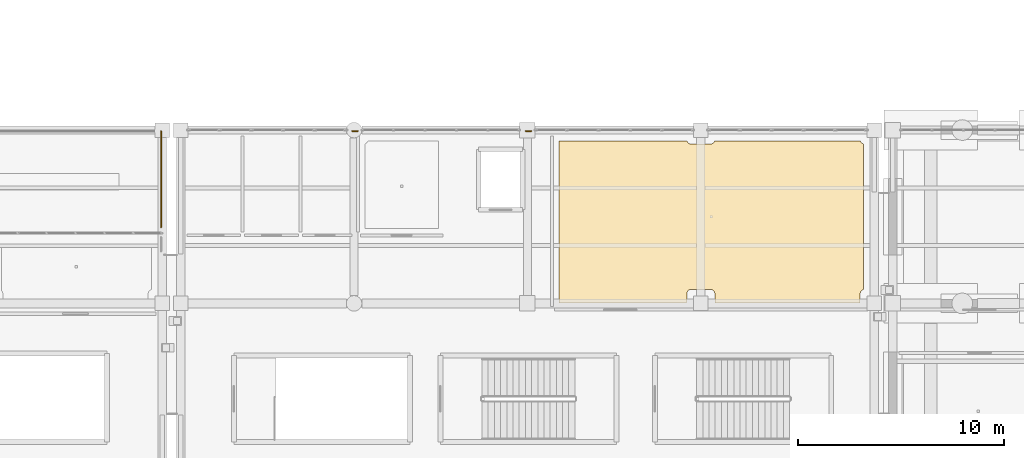
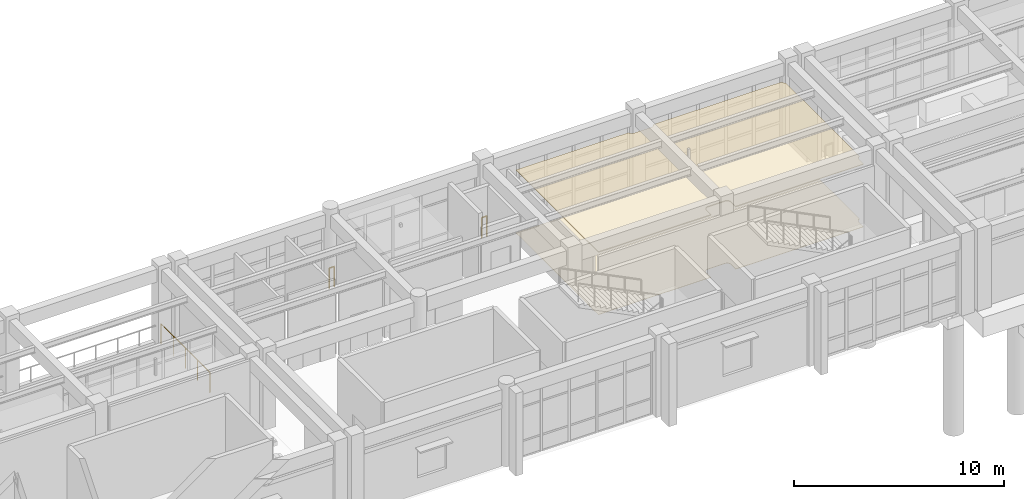
# One storey, part 97 of 111: 3 railings, 2 coverings.
"""IFC4 building model written with IfcOpenShell, lengths in metres."""

from ifc_helpers import new_model, si_unit, direction, frame, origin, origin_2d, place, context, subcontext, project, spatial, polyline, circle, outline, extrude, material, layer, layer_set, type_object, element, save


model = new_model("IFC4")

# Units and contexts
model_context = context("Model", 3, precision=1e-05, world=origin(), true_north=direction((0.0, 1.0)))
body_context = subcontext(model_context, "Body", "Model", "MODEL_VIEW")
ifc_project = project(units=[si_unit("LENGTHUNIT", "METRE"), si_unit("AREAUNIT", "SQUARE_METRE"), si_unit("VOLUMEUNIT", "CUBIC_METRE"), si_unit("PLANEANGLEUNIT", "RADIAN"), si_unit("MASSUNIT", "GRAM", prefix="KILO")], contexts=[model_context])

# Site, building, storey
site_placement = place(None, origin())
site = spatial("IfcSite", under=ifc_project, at=site_placement, CompositionType="ELEMENT")
building_placement = place(site_placement, origin())
building = spatial("IfcBuilding", under=site, at=building_placement, Name="Canglan Escarpment Cableway Terminal", CompositionType="ELEMENT")
storey_placement = place(building_placement, frame((0.0, 0.0, 4.800048828125)))
storey = spatial("IfcBuildingStorey", under=building, at=storey_placement, Name="L01", CompositionType="ELEMENT", Elevation=4.800048828125)

# Coverings
ifc_material_1 = material(Name="Moisture-resistant acoustic gypsum ceiling", Category="gypsum")
ifc_layer_1 = layer(ifc_material_1, 0.030029296875, Name="Moisture-resistant acoustic gypsum ceiling")
ifc_layer_set_1 = layer_set([ifc_layer_1], Name="Moisture-resistant acoustic gypsum ceiling")
covering_type_1 = type_object("IfcCoveringType", Name="COV-CEIL-GYPSUM-30", PredefinedType="CEILING", material=ifc_layer_set_1)
covering_1_placement = place(storey_placement, frame((0.0, 0.0, 3.639892578125)))
element("IfcCovering", 1, at=covering_1_placement, inside=storey, type_object=covering_type_1, Name="Mountain Sports Briefing Room suspended acoustic ceiling", PredefinedType="CEILING", context=body_context, shape_type="SweptSolid", body=[
    extrude(outline(polyline([(67.013916015625, 24.280029296875), (67.015869140625, 24.27978515625), (67.017822265625, 24.279541015625), (67.01953125, 24.279296875), (67.021484375, 24.278564453125), (67.023193359375, 24.27783203125), (67.024658203125, 24.27685546875), (67.0263671875, 24.27587890625), (67.027587890625, 24.274658203125), (67.029052734375, 24.273193359375), (67.0302734375, 24.271728515625), (67.03125, 24.270263671875), (67.031982421875, 24.2685546875), (67.03271484375, 24.2666015625), (67.03662109375, 24.25634765625), (67.037109375, 24.25537109375), (67.0458984375, 24.23681640625), (67.046142578125, 24.23583984375), (67.056884765625, 24.21826171875), (67.057373046875, 24.21728515625), (67.069580078125, 24.20068359375), (67.0703125, 24.2001953125), (67.083984375, 24.184814453125), (67.084716796875, 24.18408203125), (67.10009765625, 24.17041015625), (67.100830078125, 24.169677734375), (67.117431640625, 24.157470703125), (67.1181640625, 24.15673828125), (67.135986328125, 24.146240234375), (67.13671875, 24.145751953125), (67.155517578125, 24.136962890625), (67.15625, 24.13671875), (67.17578125, 24.129638671875), (67.176513671875, 24.12939453125), (67.196533203125, 24.124267578125), (67.197509765625, 24.124267578125), (67.218017578125, 24.12109375), (67.218994140625, 24.12109375), (67.23974609375, 24.1201171875), (67.240234375, 24.1201171875), (68.159912109375, 24.1201171875), (68.16015625, 24.1201171875), (68.18115234375, 24.12109375), (68.181884765625, 24.12109375), (68.202392578125, 24.124267578125), (68.203369140625, 24.124267578125), (68.223388671875, 24.12939453125), (68.224365234375, 24.129638671875), (68.24365234375, 24.13671875), (68.24462890625, 24.136962890625), (68.26318359375, 24.145751953125), (68.26416015625, 24.146240234375), (68.28173828125, 24.15673828125), (68.28271484375, 24.157470703125), (68.29931640625, 24.169677734375), (68.2998046875, 24.17041015625), (68.315185546875, 24.18408203125), (68.31591796875, 24.184814453125), (68.32958984375, 24.2001953125), (68.330322265625, 24.20068359375), (68.342529296875, 24.21728515625), (68.34326171875, 24.21826171875), (68.353759765625, 24.23583984375), (68.354248046875, 24.23681640625), (68.363037109375, 24.25537109375), (68.36328125, 24.25634765625), (68.3671875, 24.2666015625), (68.367919921875, 24.2685546875), (68.368896484375, 24.270263671875), (68.369873046875, 24.271728515625), (68.37109375, 24.273193359375), (68.372314453125, 24.274658203125), (68.373779296875, 24.27587890625), (68.375244140625, 24.27685546875), (68.376953125, 24.27783203125), (68.378662109375, 24.278564453125), (68.38037109375, 24.279296875), (68.382080078125, 24.279541015625), (68.384033203125, 24.27978515625), (68.385986328125, 24.280029296875), (75.4140625, 24.280029296875), (75.416015625, 24.27978515625), (75.417724609375, 24.279541015625), (75.419677734375, 24.279296875), (75.42138671875, 24.278564453125), (75.423095703125, 24.27783203125), (75.4248046875, 24.27685546875), (75.42626953125, 24.27587890625), (75.427734375, 24.274658203125), (75.428955078125, 24.273193359375), (75.43017578125, 24.271728515625), (75.43115234375, 24.270263671875), (75.43212890625, 24.2685546875), (75.432861328125, 24.2666015625), (75.4365234375, 24.25634765625), (75.43701171875, 24.25537109375), (75.44580078125, 24.23681640625), (75.4462890625, 24.23583984375), (75.456787109375, 24.21826171875), (75.45751953125, 24.21728515625), (75.469482421875, 24.20068359375), (75.47021484375, 24.2001953125), (75.484130859375, 24.184814453125), (75.48486328125, 24.18408203125), (75.5, 24.17041015625), (75.500732421875, 24.169677734375), (75.517333984375, 24.157470703125), (75.518310546875, 24.15673828125), (75.535888671875, 24.146240234375), (75.53662109375, 24.145751953125), (75.555419921875, 24.136962890625), (75.556396484375, 24.13671875), (75.566650390625, 24.1328125), (75.568603515625, 24.132080078125), (75.5703125, 24.131103515625), (75.57177734375, 24.130126953125), (75.5732421875, 24.12890625), (75.57470703125, 24.127685546875), (75.57568359375, 24.126220703125), (75.576904296875, 24.124755859375), (75.577880859375, 24.123046875), (75.57861328125, 24.121337890625), (75.5791015625, 24.11962890625), (75.57958984375, 24.117919921875), (75.579833984375, 24.115966796875), (75.580078125, 24.114013671875), (75.580078125, 17.0859375), (75.579833984375, 17.083984375), (75.57958984375, 17.082275390625), (75.5791015625, 17.080322265625), (75.57861328125, 17.07861328125), (75.577880859375, 17.076904296875), (75.576904296875, 17.0751953125), (75.57568359375, 17.07373046875), (75.57470703125, 17.072265625), (75.5732421875, 17.071044921875), (75.57177734375, 17.06982421875), (75.5703125, 17.06884765625), (75.568603515625, 17.06787109375), (75.566650390625, 17.067138671875), (75.556396484375, 17.0634765625), (75.555419921875, 17.06298828125), (75.53662109375, 17.05419921875), (75.535888671875, 17.0537109375), (75.518310546875, 17.043212890625), (75.517333984375, 17.04248046875), (75.500732421875, 17.030517578125), (75.5, 17.02978515625), (75.48486328125, 17.015869140625), (75.484130859375, 17.01513671875), (75.47021484375, 17.0), (75.469482421875, 16.999267578125), (75.45751953125, 16.982666015625), (75.456787109375, 16.981689453125), (75.4462890625, 16.964111328125), (75.44580078125, 16.96337890625), (75.43701171875, 16.944580078125), (75.4365234375, 16.943603515625), (75.4296875, 16.92431640625), (75.429443359375, 16.92333984375), (75.42431640625, 16.9033203125), (75.42431640625, 16.90234375), (75.421142578125, 16.882080078125), (75.4208984375, 16.881103515625), (75.419921875, 16.860107421875), (75.419921875, 16.85986328125), (75.419921875, 16.43994140625), (75.419921875, 16.43798828125), (75.419677734375, 16.43603515625), (75.419189453125, 16.43408203125), (75.41845703125, 16.432373046875), (75.41748046875, 16.4306640625), (75.41650390625, 16.428955078125), (75.41552734375, 16.42724609375), (75.4140625, 16.42578125), (75.41259765625, 16.424560546875), (75.4111328125, 16.42333984375), (75.409423828125, 16.42236328125), (75.40771484375, 16.42138671875), (75.40576171875, 16.4208984375), (75.40380859375, 16.42041015625), (75.402099609375, 16.420166015625), (75.39990234375, 16.419921875), (68.39990234375, 16.419921875), (68.39794921875, 16.420166015625), (68.39599609375, 16.42041015625), (68.394287109375, 16.4208984375), (68.392333984375, 16.42138671875), (68.390625, 16.42236328125), (68.388916015625, 16.42333984375), (68.38720703125, 16.424560546875), (68.385986328125, 16.42578125), (68.384521484375, 16.42724609375), (68.38330078125, 16.428955078125), (68.38232421875, 16.4306640625), (68.381591796875, 16.432373046875), (68.380859375, 16.43408203125), (68.38037109375, 16.43603515625), (68.380126953125, 16.43798828125), (68.3798828125, 16.43994140625), (68.3798828125, 16.85986328125), (68.3798828125, 16.860107421875), (68.37890625, 16.881103515625), (68.37890625, 16.882080078125), (68.375732421875, 16.90234375), (68.375732421875, 16.9033203125), (68.37060546875, 16.92333984375), (68.370361328125, 16.92431640625), (68.36328125, 16.943603515625), (68.363037109375, 16.944580078125), (68.354248046875, 16.96337890625), (68.353759765625, 16.964111328125), (68.34326171875, 16.981689453125), (68.342529296875, 16.982666015625), (68.330322265625, 16.999267578125), (68.32958984375, 17.0), (68.31591796875, 17.01513671875), (68.315185546875, 17.015869140625), (68.2998046875, 17.02978515625), (68.29931640625, 17.030517578125), (68.28271484375, 17.04248046875), (68.28173828125, 17.043212890625), (68.26416015625, 17.0537109375), (68.26318359375, 17.05419921875), (68.24462890625, 17.06298828125), (68.24365234375, 17.0634765625), (68.224365234375, 17.0703125), (68.223388671875, 17.070556640625), (68.203369140625, 17.07568359375), (68.202392578125, 17.07568359375), (68.181884765625, 17.078857421875), (68.18115234375, 17.0791015625), (68.16015625, 17.080078125), (68.159912109375, 17.080078125), (67.240234375, 17.080078125), (67.23974609375, 17.080078125), (67.218994140625, 17.0791015625), (67.218017578125, 17.078857421875), (67.197509765625, 17.07568359375), (67.196533203125, 17.07568359375), (67.176513671875, 17.070556640625), (67.17578125, 17.0703125), (67.15625, 17.0634765625), (67.155517578125, 17.06298828125), (67.13671875, 17.05419921875), (67.135986328125, 17.0537109375), (67.1181640625, 17.043212890625), (67.117431640625, 17.04248046875), (67.100830078125, 17.030517578125), (67.10009765625, 17.02978515625), (67.084716796875, 17.015869140625), (67.083984375, 17.01513671875), (67.0703125, 17.0), (67.069580078125, 16.999267578125), (67.057373046875, 16.982666015625), (67.056884765625, 16.981689453125), (67.046142578125, 16.964111328125), (67.0458984375, 16.96337890625), (67.037109375, 16.944580078125), (67.03662109375, 16.943603515625), (67.029541015625, 16.92431640625), (67.029296875, 16.92333984375), (67.0244140625, 16.9033203125), (67.024169921875, 16.90234375), (67.02099609375, 16.882080078125), (67.02099609375, 16.881103515625), (67.02001953125, 16.860107421875), (67.02001953125, 16.85986328125), (67.02001953125, 16.43994140625), (67.02001953125, 16.43798828125), (67.01953125, 16.43603515625), (67.01904296875, 16.43408203125), (67.0185546875, 16.432373046875), (67.017578125, 16.4306640625), (67.0166015625, 16.428955078125), (67.015380859375, 16.42724609375), (67.01416015625, 16.42578125), (67.0126953125, 16.424560546875), (67.010986328125, 16.42333984375), (67.009521484375, 16.42236328125), (67.0078125, 16.42138671875), (67.005859375, 16.4208984375), (67.00390625, 16.42041015625), (67.001953125, 16.420166015625), (67.0, 16.419921875), (60.840087890625, 16.419921875), (60.837890625, 16.420166015625), (60.836181640625, 16.42041015625), (60.834228515625, 16.4208984375), (60.832275390625, 16.42138671875), (60.83056640625, 16.42236328125), (60.828857421875, 16.42333984375), (60.827392578125, 16.424560546875), (60.825927734375, 16.42578125), (60.824462890625, 16.42724609375), (60.823486328125, 16.428955078125), (60.822509765625, 16.4306640625), (60.821533203125, 16.432373046875), (60.82080078125, 16.43408203125), (60.8203125, 16.43603515625), (60.820068359375, 16.43798828125), (60.820068359375, 16.43994140625), (60.820068359375, 24.260009765625), (60.820068359375, 24.261962890625), (60.8203125, 24.263916015625), (60.82080078125, 24.265869140625), (60.821533203125, 24.267578125), (60.822509765625, 24.269287109375), (60.823486328125, 24.27099609375), (60.824462890625, 24.272705078125), (60.825927734375, 24.274169921875), (60.827392578125, 24.275390625), (60.828857421875, 24.276611328125), (60.83056640625, 24.277587890625), (60.832275390625, 24.278564453125), (60.834228515625, 24.279052734375), (60.836181640625, 24.279541015625), (60.837890625, 24.27978515625), (60.840087890625, 24.280029296875), (67.013916015625, 24.280029296875)])), origin(), (0.0, 0.0, 1.0), 0.030029296875),
])
ifc_material_2 = material(Name="Polished mineral terrazzo flooring", Category="concrete")
ifc_layer_2 = layer(ifc_material_2, 0.02001953125, Name="Polished mineral terrazzo flooring")
ifc_layer_set_2 = layer_set([ifc_layer_2], Name="Polished mineral terrazzo flooring")
covering_type_2 = type_object("IfcCoveringType", Name="COV-FLR-TERRAZZO-20", PredefinedType="FLOORING", material=ifc_layer_set_2)
covering_2_placement = place(storey_placement, origin())
element("IfcCovering", 2, at=covering_2_placement, inside=storey, type_object=covering_type_2, Name="Mountain Sports Briefing Room stone floor finish", PredefinedType="FLOORING", context=body_context, shape_type="SweptSolid", body=[
    extrude(outline(polyline([(67.013916015625, 24.280029296875), (67.015869140625, 24.27978515625), (67.017822265625, 24.279541015625), (67.01953125, 24.279296875), (67.021484375, 24.278564453125), (67.023193359375, 24.27783203125), (67.024658203125, 24.27685546875), (67.0263671875, 24.27587890625), (67.027587890625, 24.274658203125), (67.029052734375, 24.273193359375), (67.0302734375, 24.271728515625), (67.03125, 24.270263671875), (67.031982421875, 24.2685546875), (67.03271484375, 24.2666015625), (67.03662109375, 24.25634765625), (67.037109375, 24.25537109375), (67.0458984375, 24.23681640625), (67.046142578125, 24.23583984375), (67.056884765625, 24.21826171875), (67.057373046875, 24.21728515625), (67.069580078125, 24.20068359375), (67.0703125, 24.2001953125), (67.083984375, 24.184814453125), (67.084716796875, 24.18408203125), (67.10009765625, 24.17041015625), (67.100830078125, 24.169677734375), (67.117431640625, 24.157470703125), (67.1181640625, 24.15673828125), (67.135986328125, 24.146240234375), (67.13671875, 24.145751953125), (67.155517578125, 24.136962890625), (67.15625, 24.13671875), (67.17578125, 24.129638671875), (67.176513671875, 24.12939453125), (67.196533203125, 24.124267578125), (67.197509765625, 24.124267578125), (67.218017578125, 24.12109375), (67.218994140625, 24.12109375), (67.23974609375, 24.1201171875), (67.240234375, 24.1201171875), (68.159912109375, 24.1201171875), (68.16015625, 24.1201171875), (68.18115234375, 24.12109375), (68.181884765625, 24.12109375), (68.202392578125, 24.124267578125), (68.203369140625, 24.124267578125), (68.223388671875, 24.12939453125), (68.224365234375, 24.129638671875), (68.24365234375, 24.13671875), (68.24462890625, 24.136962890625), (68.26318359375, 24.145751953125), (68.26416015625, 24.146240234375), (68.28173828125, 24.15673828125), (68.28271484375, 24.157470703125), (68.29931640625, 24.169677734375), (68.2998046875, 24.17041015625), (68.315185546875, 24.18408203125), (68.31591796875, 24.184814453125), (68.32958984375, 24.2001953125), (68.330322265625, 24.20068359375), (68.342529296875, 24.21728515625), (68.34326171875, 24.21826171875), (68.353759765625, 24.23583984375), (68.354248046875, 24.23681640625), (68.363037109375, 24.25537109375), (68.36328125, 24.25634765625), (68.3671875, 24.2666015625), (68.367919921875, 24.2685546875), (68.368896484375, 24.270263671875), (68.369873046875, 24.271728515625), (68.37109375, 24.273193359375), (68.372314453125, 24.274658203125), (68.373779296875, 24.27587890625), (68.375244140625, 24.27685546875), (68.376953125, 24.27783203125), (68.378662109375, 24.278564453125), (68.38037109375, 24.279296875), (68.382080078125, 24.279541015625), (68.384033203125, 24.27978515625), (68.385986328125, 24.280029296875), (75.4140625, 24.280029296875), (75.416015625, 24.27978515625), (75.417724609375, 24.279541015625), (75.419677734375, 24.279296875), (75.42138671875, 24.278564453125), (75.423095703125, 24.27783203125), (75.4248046875, 24.27685546875), (75.42626953125, 24.27587890625), (75.427734375, 24.274658203125), (75.428955078125, 24.273193359375), (75.43017578125, 24.271728515625), (75.43115234375, 24.270263671875), (75.43212890625, 24.2685546875), (75.432861328125, 24.2666015625), (75.4365234375, 24.25634765625), (75.43701171875, 24.25537109375), (75.44580078125, 24.23681640625), (75.4462890625, 24.23583984375), (75.456787109375, 24.21826171875), (75.45751953125, 24.21728515625), (75.469482421875, 24.20068359375), (75.47021484375, 24.2001953125), (75.484130859375, 24.184814453125), (75.48486328125, 24.18408203125), (75.5, 24.17041015625), (75.500732421875, 24.169677734375), (75.517333984375, 24.157470703125), (75.518310546875, 24.15673828125), (75.535888671875, 24.146240234375), (75.53662109375, 24.145751953125), (75.555419921875, 24.136962890625), (75.556396484375, 24.13671875), (75.566650390625, 24.1328125), (75.568603515625, 24.132080078125), (75.5703125, 24.131103515625), (75.57177734375, 24.130126953125), (75.5732421875, 24.12890625), (75.57470703125, 24.127685546875), (75.57568359375, 24.126220703125), (75.576904296875, 24.124755859375), (75.577880859375, 24.123046875), (75.57861328125, 24.121337890625), (75.5791015625, 24.11962890625), (75.57958984375, 24.117919921875), (75.579833984375, 24.115966796875), (75.580078125, 24.114013671875), (75.580078125, 17.0859375), (75.579833984375, 17.083984375), (75.57958984375, 17.082275390625), (75.5791015625, 17.080322265625), (75.57861328125, 17.07861328125), (75.577880859375, 17.076904296875), (75.576904296875, 17.0751953125), (75.57568359375, 17.07373046875), (75.57470703125, 17.072265625), (75.5732421875, 17.071044921875), (75.57177734375, 17.06982421875), (75.5703125, 17.06884765625), (75.568603515625, 17.06787109375), (75.566650390625, 17.067138671875), (75.556396484375, 17.0634765625), (75.555419921875, 17.06298828125), (75.53662109375, 17.05419921875), (75.535888671875, 17.0537109375), (75.518310546875, 17.043212890625), (75.517333984375, 17.04248046875), (75.500732421875, 17.030517578125), (75.5, 17.02978515625), (75.48486328125, 17.015869140625), (75.484130859375, 17.01513671875), (75.47021484375, 17.0), (75.469482421875, 16.999267578125), (75.45751953125, 16.982666015625), (75.456787109375, 16.981689453125), (75.4462890625, 16.964111328125), (75.44580078125, 16.96337890625), (75.43701171875, 16.944580078125), (75.4365234375, 16.943603515625), (75.4296875, 16.92431640625), (75.429443359375, 16.92333984375), (75.42431640625, 16.9033203125), (75.42431640625, 16.90234375), (75.421142578125, 16.882080078125), (75.4208984375, 16.881103515625), (75.419921875, 16.860107421875), (75.419921875, 16.85986328125), (75.419921875, 16.43994140625), (75.419921875, 16.43798828125), (75.419677734375, 16.43603515625), (75.419189453125, 16.43408203125), (75.41845703125, 16.432373046875), (75.41748046875, 16.4306640625), (75.41650390625, 16.428955078125), (75.41552734375, 16.42724609375), (75.4140625, 16.42578125), (75.41259765625, 16.424560546875), (75.4111328125, 16.42333984375), (75.409423828125, 16.42236328125), (75.40771484375, 16.42138671875), (75.40576171875, 16.4208984375), (75.40380859375, 16.42041015625), (75.402099609375, 16.420166015625), (75.39990234375, 16.419921875), (68.39990234375, 16.419921875), (68.39794921875, 16.420166015625), (68.39599609375, 16.42041015625), (68.394287109375, 16.4208984375), (68.392333984375, 16.42138671875), (68.390625, 16.42236328125), (68.388916015625, 16.42333984375), (68.38720703125, 16.424560546875), (68.385986328125, 16.42578125), (68.384521484375, 16.42724609375), (68.38330078125, 16.428955078125), (68.38232421875, 16.4306640625), (68.381591796875, 16.432373046875), (68.380859375, 16.43408203125), (68.38037109375, 16.43603515625), (68.380126953125, 16.43798828125), (68.3798828125, 16.43994140625), (68.3798828125, 16.85986328125), (68.3798828125, 16.860107421875), (68.37890625, 16.881103515625), (68.37890625, 16.882080078125), (68.375732421875, 16.90234375), (68.375732421875, 16.9033203125), (68.37060546875, 16.92333984375), (68.370361328125, 16.92431640625), (68.36328125, 16.943603515625), (68.363037109375, 16.944580078125), (68.354248046875, 16.96337890625), (68.353759765625, 16.964111328125), (68.34326171875, 16.981689453125), (68.342529296875, 16.982666015625), (68.330322265625, 16.999267578125), (68.32958984375, 17.0), (68.31591796875, 17.01513671875), (68.315185546875, 17.015869140625), (68.2998046875, 17.02978515625), (68.29931640625, 17.030517578125), (68.28271484375, 17.04248046875), (68.28173828125, 17.043212890625), (68.26416015625, 17.0537109375), (68.26318359375, 17.05419921875), (68.24462890625, 17.06298828125), (68.24365234375, 17.0634765625), (68.224365234375, 17.0703125), (68.223388671875, 17.070556640625), (68.203369140625, 17.07568359375), (68.202392578125, 17.07568359375), (68.181884765625, 17.078857421875), (68.18115234375, 17.0791015625), (68.16015625, 17.080078125), (68.159912109375, 17.080078125), (67.240234375, 17.080078125), (67.23974609375, 17.080078125), (67.218994140625, 17.0791015625), (67.218017578125, 17.078857421875), (67.197509765625, 17.07568359375), (67.196533203125, 17.07568359375), (67.176513671875, 17.070556640625), (67.17578125, 17.0703125), (67.15625, 17.0634765625), (67.155517578125, 17.06298828125), (67.13671875, 17.05419921875), (67.135986328125, 17.0537109375), (67.1181640625, 17.043212890625), (67.117431640625, 17.04248046875), (67.100830078125, 17.030517578125), (67.10009765625, 17.02978515625), (67.084716796875, 17.015869140625), (67.083984375, 17.01513671875), (67.0703125, 17.0), (67.069580078125, 16.999267578125), (67.057373046875, 16.982666015625), (67.056884765625, 16.981689453125), (67.046142578125, 16.964111328125), (67.0458984375, 16.96337890625), (67.037109375, 16.944580078125), (67.03662109375, 16.943603515625), (67.029541015625, 16.92431640625), (67.029296875, 16.92333984375), (67.0244140625, 16.9033203125), (67.024169921875, 16.90234375), (67.02099609375, 16.882080078125), (67.02099609375, 16.881103515625), (67.02001953125, 16.860107421875), (67.02001953125, 16.85986328125), (67.02001953125, 16.43994140625), (67.02001953125, 16.43798828125), (67.01953125, 16.43603515625), (67.01904296875, 16.43408203125), (67.0185546875, 16.432373046875), (67.017578125, 16.4306640625), (67.0166015625, 16.428955078125), (67.015380859375, 16.42724609375), (67.01416015625, 16.42578125), (67.0126953125, 16.424560546875), (67.010986328125, 16.42333984375), (67.009521484375, 16.42236328125), (67.0078125, 16.42138671875), (67.005859375, 16.4208984375), (67.00390625, 16.42041015625), (67.001953125, 16.420166015625), (67.0, 16.419921875), (60.840087890625, 16.419921875), (60.837890625, 16.420166015625), (60.836181640625, 16.42041015625), (60.834228515625, 16.4208984375), (60.832275390625, 16.42138671875), (60.83056640625, 16.42236328125), (60.828857421875, 16.42333984375), (60.827392578125, 16.424560546875), (60.825927734375, 16.42578125), (60.824462890625, 16.42724609375), (60.823486328125, 16.428955078125), (60.822509765625, 16.4306640625), (60.821533203125, 16.432373046875), (60.82080078125, 16.43408203125), (60.8203125, 16.43603515625), (60.820068359375, 16.43798828125), (60.820068359375, 16.43994140625), (60.820068359375, 24.260009765625), (60.820068359375, 24.261962890625), (60.8203125, 24.263916015625), (60.82080078125, 24.265869140625), (60.821533203125, 24.267578125), (60.822509765625, 24.269287109375), (60.823486328125, 24.27099609375), (60.824462890625, 24.272705078125), (60.825927734375, 24.274169921875), (60.827392578125, 24.275390625), (60.828857421875, 24.276611328125), (60.83056640625, 24.277587890625), (60.832275390625, 24.278564453125), (60.834228515625, 24.279052734375), (60.836181640625, 24.279541015625), (60.837890625, 24.27978515625), (60.840087890625, 24.280029296875), (67.013916015625, 24.280029296875)])), origin(), (0.0, 0.0, 1.0), 0.02001953125),
])

# Railings
ifc_material_3 = material(Name="Carved limestone and anodized bronze balustrade", Category="masonry")
railing_type = type_object("IfcRailingType", Name="RL-EXT-BALUSTRADE-1200", PredefinedType="BALUSTRADE", material=ifc_material_3)
railing_placement = place(storey_placement, frame((41.548095703125, 24.75, 0.0)))
element("IfcRailing", 3, at=railing_placement, inside=storey, type_object=railing_type, Name="Classical terrace balustrade guard GD-01 (L01)", PredefinedType="BALUSTRADE", context=body_context, shape_type="SweptSolid", body=[
    extrude(circle(Radius=0.02392578125, at=origin_2d()), frame((0.0, 0.0, 1.17578125), z_axis=(0.000419133405, -0.999999912164, 0.0), x_axis=(0.999999912164, 0.000419133405, 0.0)), (0.0, 0.0, 1.0), 4.659912109375),
    extrude(circle(Radius=0.02099609375, at=origin_2d()), origin(), (0.0, 0.0, 1.0), 1.15185546875),
    extrude(circle(Radius=0.02099609375, at=origin_2d()), frame((0.00048828125, -1.1650390625, 0.0)), (0.0, 0.0, 1.0), 1.15185546875),
    extrude(circle(Radius=0.02099609375, at=origin_2d()), frame((0.0009765625, -2.330078125, 0.0)), (0.0, 0.0, 1.0), 1.15185546875),
    extrude(circle(Radius=0.02099609375, at=origin_2d()), frame((0.00146484375, -3.494873046875, 0.0)), (0.0, 0.0, 1.0), 1.15185546875),
    extrude(circle(Radius=0.02099609375, at=origin_2d()), frame((0.001953125, -4.659912109375, 0.0)), (0.0, 0.0, 1.0), 1.15185546875),
])
for number, where, name in (
    (4, (50.81494140625, 24.75, 0.0), "Classical terrace balustrade guard GD-01 (L01)"),
    (5, (59.215087890625, 24.75, 0.0), "Classical terrace balustrade guard GD-01 (L01)"),
):
    element("IfcRailing", number, at=place(storey_placement, frame(where)), inside=storey, type_object=railing_type, Name=name, PredefinedType="BALUSTRADE", context=body_context, shape_type="SweptSolid", body=[
        extrude(circle(Radius=0.02392578125, at=origin_2d()), frame((0.0, 0.0, 1.17578125), z_axis=(1.0, 0.0, 0.0), x_axis=(0.0, 1.0, 0.0)), (0.0, 0.0, 1.0), 0.27001953125),
        extrude(circle(Radius=0.02099609375, at=origin_2d()), origin(), (0.0, 0.0, 1.0), 1.15185546875),
        extrude(circle(Radius=0.02099609375, at=origin_2d()), frame((0.27001953125, 0.0, 0.0)), (0.0, 0.0, 1.0), 1.15185546875),
    ])

save(model, "model.ifc")
